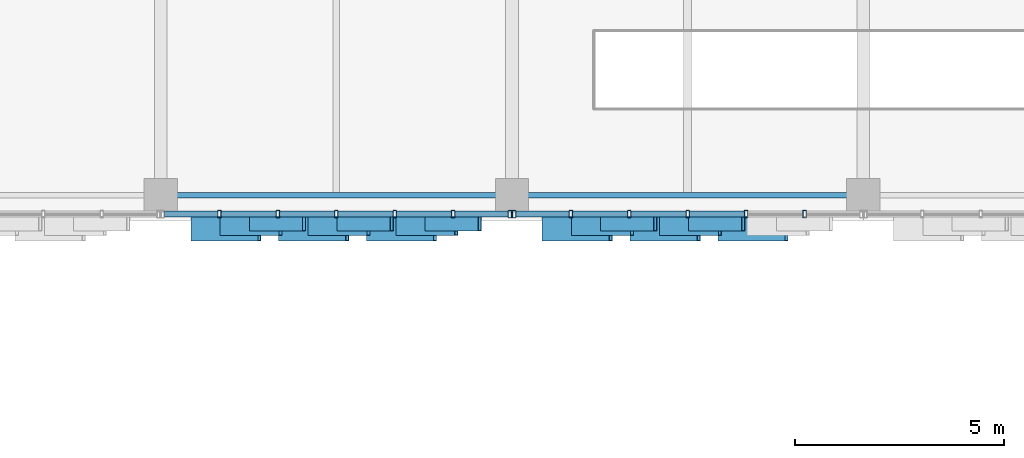
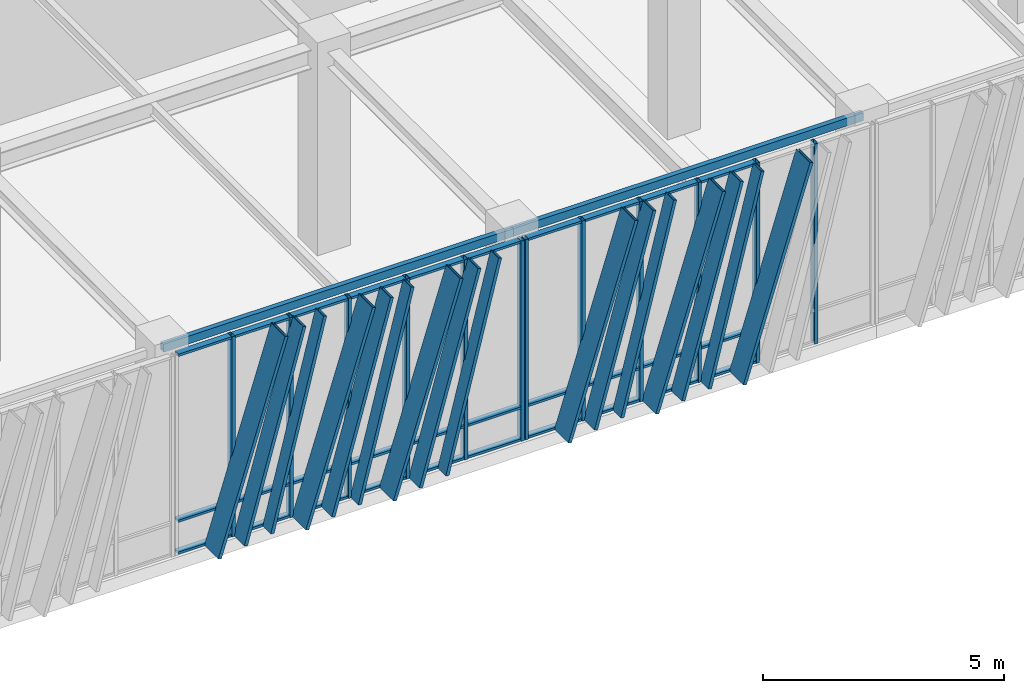
# One storey, part 15 of 139: 58 members, 2 beams, 2 elements without a shape of their own.
"""IFC4 building model written with IfcOpenShell, lengths in metres."""

from ifc_helpers import new_model, si_unit, direction, frame, origin, origin_2d, place, context, subcontext, project, spatial, hollow_rectangle, extrude, material, layer, layer_set, material_profile, profile_set, type_object, element, aggregate, save


model = new_model("IFC4")

# Units and contexts
model_context = context("Model", 3, precision=1e-05, world=origin(), true_north=direction((0.0, 1.0)))
body_context = subcontext(model_context, "Body", "Model", "MODEL_VIEW")
ifc_project = project(units=[si_unit("LENGTHUNIT", "METRE"), si_unit("AREAUNIT", "SQUARE_METRE"), si_unit("VOLUMEUNIT", "CUBIC_METRE"), si_unit("PLANEANGLEUNIT", "RADIAN"), si_unit("MASSUNIT", "GRAM", prefix="KILO")], contexts=[model_context])

# Site, building, storey
site_placement = place(None, origin())
site = spatial("IfcSite", under=ifc_project, at=site_placement, CompositionType="ELEMENT")
building_placement = place(site_placement, origin())
building = spatial("IfcBuilding", under=site, at=building_placement, Name="Zayran Congress Hotel", CompositionType="ELEMENT")
storey_placement = place(building_placement, frame((0.0, 0.0, 5.39990234375)))
storey = spatial("IfcBuildingStorey", under=building, at=storey_placement, Name="L01", CompositionType="ELEMENT", Elevation=5.39990234375)

# Beams
ifc_material_1 = material(Name="Steel S355", Category="steel")
ifc_material_profile_1 = material_profile(ifc_material_1, hollow_rectangle(XDim=0.1201171875, YDim=0.199951171875, WallThickness=0.008056640625, at=origin_2d()), Name="RHS 200x120x8")
ifc_profile_set_1 = profile_set([ifc_material_profile_1], Name="Steel S355")
beam_type = type_object("IfcBeamType", Name="TP-SP-02", PredefinedType="SPANDREL", material=ifc_profile_set_1)
for number, where, z_axis, x_axis, name in (
    (1, (33.60009765625, 68.199951171875, 4.97998046875), (1.0, 0.0, 0.0), (0.0, 1.0, 0.0), "BM-V1-L01-0516"),
    (2, (42.0, 68.199951171875, 4.97998046875), (1.0, 0.0, 0.0), (0.0, 1.0, 0.0), "BM-V1-L01-0517"),
):
    element("IfcBeam", number, at=place(storey_placement, frame(where, z_axis=z_axis, x_axis=x_axis)), inside=storey, type_object=beam_type, Name=name, PredefinedType="SPANDREL", context=body_context, shape_type="SweptSolid", body=[
        extrude(hollow_rectangle(XDim=0.1201171875, YDim=0.199951171875, WallThickness=0.008056640625, at=origin_2d()), origin(), (0.0, 0.0, 1.0), 8.39990234375),
    ])

# Curtain wall, members
ifc_material_2 = material(Name="Anodised aluminium and low-E insulated glass", Category="aluminium")
ifc_layer_1 = layer(ifc_material_2, 0.179931640625)
ifc_layer_set_1 = layer_set([ifc_layer_1], Name="Anodised aluminium and low-E insulated glass")
curtain_wall_type_1 = type_object("IfcCurtainWallType", Name="CW-V1S-L01-CW-11-8380-5080", PredefinedType="USERDEFINED", material=ifc_layer_set_1)
curtain_wall_1_placement = place(storey_placement, origin())
curtain_wall_1 = element("IfcCurtainWall", 3, at=curtain_wall_1_placement, inside=storey, type_object=curtain_wall_type_1, Name="CW-V1S-L01-3", ObjectType="CURTAIN WALL", PredefinedType="USERDEFINED")
ifc_material_3 = material(Name="Anodised aluminium framing", Category="aluminium")
ifc_material_profile_2 = material_profile(ifc_material_3, hollow_rectangle(XDim=0.080078125, YDim=0.179931640625, WallThickness=0.0048828125, at=origin_2d()), Name="RHS 180x80x5")
ifc_profile_set_2 = profile_set([ifc_material_profile_2], Name="Anodised aluminium framing")
member_type_1 = type_object("IfcMemberType", Name="TP-CWM-01", PredefinedType="MULLION", material=ifc_profile_set_2)
member_1_placement = place(storey_placement, frame((35.006591796875, 67.75, 0.0), z_axis=(0.0, 0.0, 1.0), x_axis=(1.0, 0.0, 0.0)))
member_1 = element("IfcMember", 4, at=member_1_placement, type_object=member_type_1, Name="CW-V1S-L01-3-M01", PredefinedType="MULLION", context=body_context, shape_type="SweptSolid", body=[
    extrude(hollow_rectangle(XDim=0.080078125, YDim=0.179931640625, WallThickness=0.0048828125, at=origin_2d()), origin(), (0.0, 0.0, 1.0), 5.080078125),
])
member_2_placement = place(storey_placement, frame((36.4033203125, 67.75, 0.0), z_axis=(0.0, 0.0, 1.0), x_axis=(1.0, 0.0, 0.0)))
member_2 = element("IfcMember", 5, at=member_2_placement, type_object=member_type_1, Name="CW-V1S-L01-3-M02", PredefinedType="MULLION", context=body_context, shape_type="SweptSolid", body=[
    extrude(hollow_rectangle(XDim=0.080078125, YDim=0.179931640625, WallThickness=0.0048828125, at=origin_2d()), origin(), (0.0, 0.0, 1.0), 5.080078125),
])
member_3_placement = place(storey_placement, frame((37.800048828125, 67.75, 0.0), z_axis=(0.0, 0.0, 1.0), x_axis=(1.0, 0.0, 0.0)))
member_3 = element("IfcMember", 6, at=member_3_placement, type_object=member_type_1, Name="CW-V1S-L01-3-M03", PredefinedType="MULLION", context=body_context, shape_type="SweptSolid", body=[
    extrude(hollow_rectangle(XDim=0.080078125, YDim=0.179931640625, WallThickness=0.0048828125, at=origin_2d()), origin(), (0.0, 0.0, 1.0), 5.080078125),
])
member_4_placement = place(storey_placement, frame((39.19677734375, 67.75, 0.0), z_axis=(0.0, 0.0, 1.0), x_axis=(1.0, 0.0, 0.0)))
member_4 = element("IfcMember", 7, at=member_4_placement, type_object=member_type_1, Name="CW-V1S-L01-3-M04", PredefinedType="MULLION", context=body_context, shape_type="SweptSolid", body=[
    extrude(hollow_rectangle(XDim=0.080078125, YDim=0.179931640625, WallThickness=0.0048828125, at=origin_2d()), origin(), (0.0, 0.0, 1.0), 5.080078125),
])
member_5_placement = place(storey_placement, frame((40.59326171875, 67.75, 0.0), z_axis=(0.0, 0.0, 1.0), x_axis=(1.0, 0.0, 0.0)))
member_5 = element("IfcMember", 8, at=member_5_placement, type_object=member_type_1, Name="CW-V1S-L01-3-M05", PredefinedType="MULLION", context=body_context, shape_type="SweptSolid", body=[
    extrude(hollow_rectangle(XDim=0.080078125, YDim=0.179931640625, WallThickness=0.0048828125, at=origin_2d()), origin(), (0.0, 0.0, 1.0), 5.080078125),
])
member_6_placement = place(storey_placement, frame((41.949951171875, 67.75, 0.0), z_axis=(0.0, 0.0, 1.0), x_axis=(1.0, 0.0, 0.0)))
member_6 = element("IfcMember", 9, at=member_6_placement, type_object=member_type_1, Name="CW-V1S-L01-3-M06", PredefinedType="MULLION", context=body_context, shape_type="SweptSolid", body=[
    extrude(hollow_rectangle(XDim=0.080078125, YDim=0.179931640625, WallThickness=0.0048828125, at=origin_2d()), origin(), (0.0, 0.0, 1.0), 5.080078125),
])

ifc_layer_2 = layer(ifc_material_2, 0.179931640625)
ifc_layer_set_2 = layer_set([ifc_layer_2], Name="Anodised aluminium and low-E insulated glass")
curtain_wall_type_2 = type_object("IfcCurtainWallType", Name="CW-V1S-L01-CW-12-8380-5080", PredefinedType="USERDEFINED", material=ifc_layer_set_2)
curtain_wall_2_placement = place(storey_placement, origin())
curtain_wall_2 = element("IfcCurtainWall", 10, at=curtain_wall_2_placement, inside=storey, type_object=curtain_wall_type_2, Name="CW-V1S-L01-4", ObjectType="CURTAIN WALL", PredefinedType="USERDEFINED")
member_7_placement = place(storey_placement, frame((42.050048828125, 67.75, 0.0), z_axis=(0.0, 0.0, 1.0), x_axis=(1.0, 0.0, 0.0)))
member_7 = element("IfcMember", 11, at=member_7_placement, type_object=member_type_1, Name="CW-V1S-L01-4-M00", PredefinedType="MULLION", context=body_context, shape_type="SweptSolid", body=[
    extrude(hollow_rectangle(XDim=0.080078125, YDim=0.179931640625, WallThickness=0.0048828125, at=origin_2d()), origin(), (0.0, 0.0, 1.0), 5.080078125),
])
member_8_placement = place(storey_placement, frame((43.40673828125, 67.75, 0.0), z_axis=(0.0, 0.0, 1.0), x_axis=(1.0, 0.0, 0.0)))
member_8 = element("IfcMember", 12, at=member_8_placement, type_object=member_type_1, Name="CW-V1S-L01-4-M01", PredefinedType="MULLION", context=body_context, shape_type="SweptSolid", body=[
    extrude(hollow_rectangle(XDim=0.080078125, YDim=0.179931640625, WallThickness=0.0048828125, at=origin_2d()), origin(), (0.0, 0.0, 1.0), 5.080078125),
])
member_9_placement = place(storey_placement, frame((44.80322265625, 67.75, 0.0), z_axis=(0.0, 0.0, 1.0), x_axis=(1.0, 0.0, 0.0)))
member_9 = element("IfcMember", 13, at=member_9_placement, type_object=member_type_1, Name="CW-V1S-L01-4-M02", PredefinedType="MULLION", context=body_context, shape_type="SweptSolid", body=[
    extrude(hollow_rectangle(XDim=0.080078125, YDim=0.179931640625, WallThickness=0.0048828125, at=origin_2d()), origin(), (0.0, 0.0, 1.0), 5.080078125),
])
member_10_placement = place(storey_placement, frame((46.199951171875, 67.75, 0.0), z_axis=(0.0, 0.0, 1.0), x_axis=(1.0, 0.0, 0.0)))
member_10 = element("IfcMember", 14, at=member_10_placement, type_object=member_type_1, Name="CW-V1S-L01-4-M03", PredefinedType="MULLION", context=body_context, shape_type="SweptSolid", body=[
    extrude(hollow_rectangle(XDim=0.080078125, YDim=0.179931640625, WallThickness=0.0048828125, at=origin_2d()), origin(), (0.0, 0.0, 1.0), 5.080078125),
])
member_11_placement = place(storey_placement, frame((47.5966796875, 67.75, 0.0), z_axis=(0.0, 0.0, 1.0), x_axis=(1.0, 0.0, 0.0)))
member_11 = element("IfcMember", 15, at=member_11_placement, type_object=member_type_1, Name="CW-V1S-L01-4-M04", PredefinedType="MULLION", context=body_context, shape_type="SweptSolid", body=[
    extrude(hollow_rectangle(XDim=0.080078125, YDim=0.179931640625, WallThickness=0.0048828125, at=origin_2d()), origin(), (0.0, 0.0, 1.0), 5.080078125),
])
member_12_placement = place(storey_placement, frame((48.993408203125, 67.75, 0.0), z_axis=(0.0, 0.0, 1.0), x_axis=(1.0, 0.0, 0.0)))
member_12 = element("IfcMember", 16, at=member_12_placement, type_object=member_type_1, Name="CW-V1S-L01-4-M05", PredefinedType="MULLION", context=body_context, shape_type="SweptSolid", body=[
    extrude(hollow_rectangle(XDim=0.080078125, YDim=0.179931640625, WallThickness=0.0048828125, at=origin_2d()), origin(), (0.0, 0.0, 1.0), 5.080078125),
])

# Member
ifc_material_profile_3 = material_profile(ifc_material_3, hollow_rectangle(XDim=0.06005859375, YDim=0.14990234375, WallThickness=0.00390625, at=origin_2d()), Name="RHS 150x60x4")
ifc_profile_set_3 = profile_set([ifc_material_profile_3], Name="Anodised aluminium framing")
member_type_2 = type_object("IfcMemberType", Name="TP-CWT-01", PredefinedType="USERDEFINED", material=ifc_profile_set_3)
member_13_placement = place(storey_placement, frame((33.68994140625, 67.75, 0.030029296875), z_axis=(1.0, 0.0, 0.0), x_axis=(0.0, 0.0, 1.0)))
member_13 = element("IfcMember", 17, at=member_13_placement, type_object=member_type_2, Name="CW-V1S-L01-3-T00-0", ObjectType="TRANSOM", PredefinedType="USERDEFINED", context=body_context, shape_type="SweptSolid", body=[
    extrude(hollow_rectangle(XDim=0.06005859375, YDim=0.14990234375, WallThickness=0.00390625, at=origin_2d()), origin(), (0.0, 0.0, 1.0), 1.27685546875),
])

member_14_placement = place(storey_placement, frame((33.68994140625, 67.75, 0.840087890625), z_axis=(1.0, 0.0, 0.0), x_axis=(0.0, 0.0, 1.0)))
member_14 = element("IfcMember", 18, at=member_14_placement, type_object=member_type_2, Name="CW-V1S-L01-3-T00-1", ObjectType="TRANSOM", PredefinedType="USERDEFINED", context=body_context, shape_type="SweptSolid", body=[
    extrude(hollow_rectangle(XDim=0.06005859375, YDim=0.14990234375, WallThickness=0.00390625, at=origin_2d()), origin(), (0.0, 0.0, 1.0), 1.27685546875),
])

member_15_placement = place(storey_placement, frame((33.68994140625, 67.75, 5.050048828125), z_axis=(1.0, 0.0, 0.0), x_axis=(0.0, 0.0, 1.0)))
member_15 = element("IfcMember", 19, at=member_15_placement, type_object=member_type_2, Name="CW-V1S-L01-3-T00-2", ObjectType="TRANSOM", PredefinedType="USERDEFINED", context=body_context, shape_type="SweptSolid", body=[
    extrude(hollow_rectangle(XDim=0.06005859375, YDim=0.14990234375, WallThickness=0.00390625, at=origin_2d()), origin(), (0.0, 0.0, 1.0), 1.27685546875),
])

member_16_placement = place(storey_placement, frame((35.046630859375, 67.75, 0.030029296875), z_axis=(1.0, 0.0, 0.0), x_axis=(0.0, 0.0, 1.0)))
member_16 = element("IfcMember", 20, at=member_16_placement, type_object=member_type_2, Name="CW-V1S-L01-3-T01-0", ObjectType="TRANSOM", PredefinedType="USERDEFINED", context=body_context, shape_type="SweptSolid", body=[
    extrude(hollow_rectangle(XDim=0.06005859375, YDim=0.14990234375, WallThickness=0.00390625, at=origin_2d()), origin(), (0.0, 0.0, 1.0), 1.316650390625),
])

member_17_placement = place(storey_placement, frame((35.046630859375, 67.75, 0.840087890625), z_axis=(1.0, 0.0, 0.0), x_axis=(0.0, 0.0, 1.0)))
member_17 = element("IfcMember", 21, at=member_17_placement, type_object=member_type_2, Name="CW-V1S-L01-3-T01-1", ObjectType="TRANSOM", PredefinedType="USERDEFINED", context=body_context, shape_type="SweptSolid", body=[
    extrude(hollow_rectangle(XDim=0.06005859375, YDim=0.14990234375, WallThickness=0.00390625, at=origin_2d()), origin(), (0.0, 0.0, 1.0), 1.316650390625),
])

member_18_placement = place(storey_placement, frame((35.046630859375, 67.75, 5.050048828125), z_axis=(1.0, 0.0, 0.0), x_axis=(0.0, 0.0, 1.0)))
member_18 = element("IfcMember", 22, at=member_18_placement, type_object=member_type_2, Name="CW-V1S-L01-3-T01-2", ObjectType="TRANSOM", PredefinedType="USERDEFINED", context=body_context, shape_type="SweptSolid", body=[
    extrude(hollow_rectangle(XDim=0.06005859375, YDim=0.14990234375, WallThickness=0.00390625, at=origin_2d()), origin(), (0.0, 0.0, 1.0), 1.316650390625),
])

member_19_placement = place(storey_placement, frame((36.443359375, 67.75, 0.030029296875), z_axis=(1.0, 0.0, 0.0), x_axis=(0.0, 0.0, 1.0)))
member_19 = element("IfcMember", 23, at=member_19_placement, type_object=member_type_2, Name="CW-V1S-L01-3-T02-0", ObjectType="TRANSOM", PredefinedType="USERDEFINED", context=body_context, shape_type="SweptSolid", body=[
    extrude(hollow_rectangle(XDim=0.06005859375, YDim=0.14990234375, WallThickness=0.00390625, at=origin_2d()), origin(), (0.0, 0.0, 1.0), 1.316650390625),
])

member_20_placement = place(storey_placement, frame((36.443359375, 67.75, 0.840087890625), z_axis=(1.0, 0.0, 0.0), x_axis=(0.0, 0.0, 1.0)))
member_20 = element("IfcMember", 24, at=member_20_placement, type_object=member_type_2, Name="CW-V1S-L01-3-T02-1", ObjectType="TRANSOM", PredefinedType="USERDEFINED", context=body_context, shape_type="SweptSolid", body=[
    extrude(hollow_rectangle(XDim=0.06005859375, YDim=0.14990234375, WallThickness=0.00390625, at=origin_2d()), origin(), (0.0, 0.0, 1.0), 1.316650390625),
])

member_21_placement = place(storey_placement, frame((36.443359375, 67.75, 5.050048828125), z_axis=(1.0, 0.0, 0.0), x_axis=(0.0, 0.0, 1.0)))
member_21 = element("IfcMember", 25, at=member_21_placement, type_object=member_type_2, Name="CW-V1S-L01-3-T02-2", ObjectType="TRANSOM", PredefinedType="USERDEFINED", context=body_context, shape_type="SweptSolid", body=[
    extrude(hollow_rectangle(XDim=0.06005859375, YDim=0.14990234375, WallThickness=0.00390625, at=origin_2d()), origin(), (0.0, 0.0, 1.0), 1.316650390625),
])

member_22_placement = place(storey_placement, frame((37.840087890625, 67.75, 0.030029296875), z_axis=(1.0, 0.0, 0.0), x_axis=(0.0, 0.0, 1.0)))
member_22 = element("IfcMember", 26, at=member_22_placement, type_object=member_type_2, Name="CW-V1S-L01-3-T03-0", ObjectType="TRANSOM", PredefinedType="USERDEFINED", context=body_context, shape_type="SweptSolid", body=[
    extrude(hollow_rectangle(XDim=0.06005859375, YDim=0.14990234375, WallThickness=0.00390625, at=origin_2d()), origin(), (0.0, 0.0, 1.0), 1.316650390625),
])

member_23_placement = place(storey_placement, frame((37.840087890625, 67.75, 0.840087890625), z_axis=(1.0, 0.0, 0.0), x_axis=(0.0, 0.0, 1.0)))
member_23 = element("IfcMember", 27, at=member_23_placement, type_object=member_type_2, Name="CW-V1S-L01-3-T03-1", ObjectType="TRANSOM", PredefinedType="USERDEFINED", context=body_context, shape_type="SweptSolid", body=[
    extrude(hollow_rectangle(XDim=0.06005859375, YDim=0.14990234375, WallThickness=0.00390625, at=origin_2d()), origin(), (0.0, 0.0, 1.0), 1.316650390625),
])

member_24_placement = place(storey_placement, frame((37.840087890625, 67.75, 5.050048828125), z_axis=(1.0, 0.0, 0.0), x_axis=(0.0, 0.0, 1.0)))
member_24 = element("IfcMember", 28, at=member_24_placement, type_object=member_type_2, Name="CW-V1S-L01-3-T03-2", ObjectType="TRANSOM", PredefinedType="USERDEFINED", context=body_context, shape_type="SweptSolid", body=[
    extrude(hollow_rectangle(XDim=0.06005859375, YDim=0.14990234375, WallThickness=0.00390625, at=origin_2d()), origin(), (0.0, 0.0, 1.0), 1.316650390625),
])

member_25_placement = place(storey_placement, frame((39.23681640625, 67.75, 0.030029296875), z_axis=(1.0, 0.0, 0.0), x_axis=(0.0, 0.0, 1.0)))
member_25 = element("IfcMember", 29, at=member_25_placement, type_object=member_type_2, Name="CW-V1S-L01-3-T04-0", ObjectType="TRANSOM", PredefinedType="USERDEFINED", context=body_context, shape_type="SweptSolid", body=[
    extrude(hollow_rectangle(XDim=0.06005859375, YDim=0.14990234375, WallThickness=0.00390625, at=origin_2d()), origin(), (0.0, 0.0, 1.0), 1.31640625),
])

member_26_placement = place(storey_placement, frame((39.23681640625, 67.75, 0.840087890625), z_axis=(1.0, 0.0, 0.0), x_axis=(0.0, 0.0, 1.0)))
member_26 = element("IfcMember", 30, at=member_26_placement, type_object=member_type_2, Name="CW-V1S-L01-3-T04-1", ObjectType="TRANSOM", PredefinedType="USERDEFINED", context=body_context, shape_type="SweptSolid", body=[
    extrude(hollow_rectangle(XDim=0.06005859375, YDim=0.14990234375, WallThickness=0.00390625, at=origin_2d()), origin(), (0.0, 0.0, 1.0), 1.31640625),
])

member_27_placement = place(storey_placement, frame((39.23681640625, 67.75, 5.050048828125), z_axis=(1.0, 0.0, 0.0), x_axis=(0.0, 0.0, 1.0)))
member_27 = element("IfcMember", 31, at=member_27_placement, type_object=member_type_2, Name="CW-V1S-L01-3-T04-2", ObjectType="TRANSOM", PredefinedType="USERDEFINED", context=body_context, shape_type="SweptSolid", body=[
    extrude(hollow_rectangle(XDim=0.06005859375, YDim=0.14990234375, WallThickness=0.00390625, at=origin_2d()), origin(), (0.0, 0.0, 1.0), 1.31640625),
])

member_28_placement = place(storey_placement, frame((40.63330078125, 67.75, 0.030029296875), z_axis=(1.0, 0.0, 0.0), x_axis=(0.0, 0.0, 1.0)))
member_28 = element("IfcMember", 32, at=member_28_placement, type_object=member_type_2, Name="CW-V1S-L01-3-T05-0", ObjectType="TRANSOM", PredefinedType="USERDEFINED", context=body_context, shape_type="SweptSolid", body=[
    extrude(hollow_rectangle(XDim=0.06005859375, YDim=0.14990234375, WallThickness=0.00390625, at=origin_2d()), origin(), (0.0, 0.0, 1.0), 1.276611328125),
])

member_29_placement = place(storey_placement, frame((40.63330078125, 67.75, 0.840087890625), z_axis=(1.0, 0.0, 0.0), x_axis=(0.0, 0.0, 1.0)))
member_29 = element("IfcMember", 33, at=member_29_placement, type_object=member_type_2, Name="CW-V1S-L01-3-T05-1", ObjectType="TRANSOM", PredefinedType="USERDEFINED", context=body_context, shape_type="SweptSolid", body=[
    extrude(hollow_rectangle(XDim=0.06005859375, YDim=0.14990234375, WallThickness=0.00390625, at=origin_2d()), origin(), (0.0, 0.0, 1.0), 1.276611328125),
])

member_30_placement = place(storey_placement, frame((40.63330078125, 67.75, 5.050048828125), z_axis=(1.0, 0.0, 0.0), x_axis=(0.0, 0.0, 1.0)))
member_30 = element("IfcMember", 34, at=member_30_placement, type_object=member_type_2, Name="CW-V1S-L01-3-T05-2", ObjectType="TRANSOM", PredefinedType="USERDEFINED", context=body_context, shape_type="SweptSolid", body=[
    extrude(hollow_rectangle(XDim=0.06005859375, YDim=0.14990234375, WallThickness=0.00390625, at=origin_2d()), origin(), (0.0, 0.0, 1.0), 1.276611328125),
])

member_31_placement = place(storey_placement, frame((42.090087890625, 67.75, 0.030029296875), z_axis=(1.0, 0.0, 0.0), x_axis=(0.0, 0.0, 1.0)))
member_31 = element("IfcMember", 35, at=member_31_placement, type_object=member_type_2, Name="CW-V1S-L01-4-T00-0", ObjectType="TRANSOM", PredefinedType="USERDEFINED", context=body_context, shape_type="SweptSolid", body=[
    extrude(hollow_rectangle(XDim=0.06005859375, YDim=0.14990234375, WallThickness=0.00390625, at=origin_2d()), origin(), (0.0, 0.0, 1.0), 1.276611328125),
])

member_32_placement = place(storey_placement, frame((42.090087890625, 67.75, 0.840087890625), z_axis=(1.0, 0.0, 0.0), x_axis=(0.0, 0.0, 1.0)))
member_32 = element("IfcMember", 36, at=member_32_placement, type_object=member_type_2, Name="CW-V1S-L01-4-T00-1", ObjectType="TRANSOM", PredefinedType="USERDEFINED", context=body_context, shape_type="SweptSolid", body=[
    extrude(hollow_rectangle(XDim=0.06005859375, YDim=0.14990234375, WallThickness=0.00390625, at=origin_2d()), origin(), (0.0, 0.0, 1.0), 1.276611328125),
])

member_33_placement = place(storey_placement, frame((42.090087890625, 67.75, 5.050048828125), z_axis=(1.0, 0.0, 0.0), x_axis=(0.0, 0.0, 1.0)))
member_33 = element("IfcMember", 37, at=member_33_placement, type_object=member_type_2, Name="CW-V1S-L01-4-T00-2", ObjectType="TRANSOM", PredefinedType="USERDEFINED", context=body_context, shape_type="SweptSolid", body=[
    extrude(hollow_rectangle(XDim=0.06005859375, YDim=0.14990234375, WallThickness=0.00390625, at=origin_2d()), origin(), (0.0, 0.0, 1.0), 1.276611328125),
])

member_34_placement = place(storey_placement, frame((43.44677734375, 67.75, 0.030029296875), z_axis=(1.0, 0.0, 0.0), x_axis=(0.0, 0.0, 1.0)))
member_34 = element("IfcMember", 38, at=member_34_placement, type_object=member_type_2, Name="CW-V1S-L01-4-T01-0", ObjectType="TRANSOM", PredefinedType="USERDEFINED", context=body_context, shape_type="SweptSolid", body=[
    extrude(hollow_rectangle(XDim=0.06005859375, YDim=0.14990234375, WallThickness=0.00390625, at=origin_2d()), origin(), (0.0, 0.0, 1.0), 1.31640625),
])

member_35_placement = place(storey_placement, frame((43.44677734375, 67.75, 0.840087890625), z_axis=(1.0, 0.0, 0.0), x_axis=(0.0, 0.0, 1.0)))
member_35 = element("IfcMember", 39, at=member_35_placement, type_object=member_type_2, Name="CW-V1S-L01-4-T01-1", ObjectType="TRANSOM", PredefinedType="USERDEFINED", context=body_context, shape_type="SweptSolid", body=[
    extrude(hollow_rectangle(XDim=0.06005859375, YDim=0.14990234375, WallThickness=0.00390625, at=origin_2d()), origin(), (0.0, 0.0, 1.0), 1.31640625),
])

member_36_placement = place(storey_placement, frame((43.44677734375, 67.75, 5.050048828125), z_axis=(1.0, 0.0, 0.0), x_axis=(0.0, 0.0, 1.0)))
member_36 = element("IfcMember", 40, at=member_36_placement, type_object=member_type_2, Name="CW-V1S-L01-4-T01-2", ObjectType="TRANSOM", PredefinedType="USERDEFINED", context=body_context, shape_type="SweptSolid", body=[
    extrude(hollow_rectangle(XDim=0.06005859375, YDim=0.14990234375, WallThickness=0.00390625, at=origin_2d()), origin(), (0.0, 0.0, 1.0), 1.31640625),
])

member_37_placement = place(storey_placement, frame((44.84326171875, 67.75, 0.030029296875), z_axis=(1.0, 0.0, 0.0), x_axis=(0.0, 0.0, 1.0)))
member_37 = element("IfcMember", 41, at=member_37_placement, type_object=member_type_2, Name="CW-V1S-L01-4-T02-0", ObjectType="TRANSOM", PredefinedType="USERDEFINED", context=body_context, shape_type="SweptSolid", body=[
    extrude(hollow_rectangle(XDim=0.06005859375, YDim=0.14990234375, WallThickness=0.00390625, at=origin_2d()), origin(), (0.0, 0.0, 1.0), 1.316650390625),
])

member_38_placement = place(storey_placement, frame((44.84326171875, 67.75, 0.840087890625), z_axis=(1.0, 0.0, 0.0), x_axis=(0.0, 0.0, 1.0)))
member_38 = element("IfcMember", 42, at=member_38_placement, type_object=member_type_2, Name="CW-V1S-L01-4-T02-1", ObjectType="TRANSOM", PredefinedType="USERDEFINED", context=body_context, shape_type="SweptSolid", body=[
    extrude(hollow_rectangle(XDim=0.06005859375, YDim=0.14990234375, WallThickness=0.00390625, at=origin_2d()), origin(), (0.0, 0.0, 1.0), 1.316650390625),
])

member_39_placement = place(storey_placement, frame((44.84326171875, 67.75, 5.050048828125), z_axis=(1.0, 0.0, 0.0), x_axis=(0.0, 0.0, 1.0)))
member_39 = element("IfcMember", 43, at=member_39_placement, type_object=member_type_2, Name="CW-V1S-L01-4-T02-2", ObjectType="TRANSOM", PredefinedType="USERDEFINED", context=body_context, shape_type="SweptSolid", body=[
    extrude(hollow_rectangle(XDim=0.06005859375, YDim=0.14990234375, WallThickness=0.00390625, at=origin_2d()), origin(), (0.0, 0.0, 1.0), 1.316650390625),
])

member_40_placement = place(storey_placement, frame((46.239990234375, 67.75, 0.030029296875), z_axis=(1.0, 0.0, 0.0), x_axis=(0.0, 0.0, 1.0)))
member_40 = element("IfcMember", 44, at=member_40_placement, type_object=member_type_2, Name="CW-V1S-L01-4-T03-0", ObjectType="TRANSOM", PredefinedType="USERDEFINED", context=body_context, shape_type="SweptSolid", body=[
    extrude(hollow_rectangle(XDim=0.06005859375, YDim=0.14990234375, WallThickness=0.00390625, at=origin_2d()), origin(), (0.0, 0.0, 1.0), 1.316650390625),
])

member_41_placement = place(storey_placement, frame((46.239990234375, 67.75, 0.840087890625), z_axis=(1.0, 0.0, 0.0), x_axis=(0.0, 0.0, 1.0)))
member_41 = element("IfcMember", 45, at=member_41_placement, type_object=member_type_2, Name="CW-V1S-L01-4-T03-1", ObjectType="TRANSOM", PredefinedType="USERDEFINED", context=body_context, shape_type="SweptSolid", body=[
    extrude(hollow_rectangle(XDim=0.06005859375, YDim=0.14990234375, WallThickness=0.00390625, at=origin_2d()), origin(), (0.0, 0.0, 1.0), 1.316650390625),
])

member_42_placement = place(storey_placement, frame((46.239990234375, 67.75, 5.050048828125), z_axis=(1.0, 0.0, 0.0), x_axis=(0.0, 0.0, 1.0)))
member_42 = element("IfcMember", 46, at=member_42_placement, type_object=member_type_2, Name="CW-V1S-L01-4-T03-2", ObjectType="TRANSOM", PredefinedType="USERDEFINED", context=body_context, shape_type="SweptSolid", body=[
    extrude(hollow_rectangle(XDim=0.06005859375, YDim=0.14990234375, WallThickness=0.00390625, at=origin_2d()), origin(), (0.0, 0.0, 1.0), 1.316650390625),
])

ifc_material_4 = material(Name="Warm bronze anodised aluminium", Category="aluminium")
ifc_material_profile_4 = material_profile(ifc_material_4, hollow_rectangle(XDim=0.080078125, YDim=0.580078125, WallThickness=0.006103515625, at=origin_2d()), Name="RHS 580x80x6")
ifc_profile_set_4 = profile_set([ifc_material_profile_4], Name="Warm bronze anodised aluminium")
member_type_3 = type_object("IfcMemberType", Name="TP-RFN-01", PredefinedType="MULLION", material=ifc_profile_set_4)
member_43_placement = place(storey_placement, frame((34.360107421875, 67.39990234375, 0.0), z_axis=(0.300675065474, 0.0, 0.953726640606), x_axis=(-0.953726640606, 0.0, 0.300675065474)))
member_43 = element("IfcMember", 47, at=member_43_placement, type_object=member_type_3, Name="Slanting Reed Mullion CW-11-01", PredefinedType="MULLION", context=body_context, shape_type="SweptSolid", body=[
    extrude(hollow_rectangle(XDim=0.080078125, YDim=0.580078125, WallThickness=0.006103515625, at=origin_2d()), origin(), (0.0, 0.0, 1.0), 5.32666015625),
])

member_44_placement = place(storey_placement, frame((36.4599609375, 67.39990234375, 0.0), z_axis=(0.300716755525, 0.0, 0.953713496259), x_axis=(-0.953713496259, 0.0, 0.300716755525)))
member_44 = element("IfcMember", 48, at=member_44_placement, type_object=member_type_3, Name="Slanting Reed Mullion CW-11-04", PredefinedType="MULLION", context=body_context, shape_type="SweptSolid", body=[
    extrude(hollow_rectangle(XDim=0.080078125, YDim=0.580078125, WallThickness=0.006103515625, at=origin_2d()), origin(), (0.0, 0.0, 1.0), 5.32666015625),
])

member_45_placement = place(storey_placement, frame((38.56005859375, 67.39990234375, 0.0), z_axis=(0.300675065474, 0.0, 0.953726640606), x_axis=(-0.953726640606, 0.0, 0.300675065474)))
member_45 = element("IfcMember", 49, at=member_45_placement, type_object=member_type_3, Name="Slanting Reed Mullion CW-11-07", PredefinedType="MULLION", context=body_context, shape_type="SweptSolid", body=[
    extrude(hollow_rectangle(XDim=0.080078125, YDim=0.580078125, WallThickness=0.006103515625, at=origin_2d()), origin(), (0.0, 0.0, 1.0), 5.32666015625),
])

member_46_placement = place(storey_placement, frame((42.760009765625, 67.39990234375, 0.0), z_axis=(0.300716755525, 0.0, 0.953713496259), x_axis=(-0.953713496259, 0.0, 0.300716755525)))
member_46 = element("IfcMember", 50, at=member_46_placement, type_object=member_type_3, Name="Slanting Reed Mullion CW-12-01", PredefinedType="MULLION", context=body_context, shape_type="SweptSolid", body=[
    extrude(hollow_rectangle(XDim=0.080078125, YDim=0.580078125, WallThickness=0.006103515625, at=origin_2d()), origin(), (0.0, 0.0, 1.0), 5.32666015625),
])

member_47_placement = place(storey_placement, frame((44.860107421875, 67.39990234375, 0.0), z_axis=(0.300675065474, 0.0, 0.953726640606), x_axis=(-0.953726640606, 0.0, 0.300675065474)))
member_47 = element("IfcMember", 51, at=member_47_placement, type_object=member_type_3, Name="Slanting Reed Mullion CW-12-04", PredefinedType="MULLION", context=body_context, shape_type="SweptSolid", body=[
    extrude(hollow_rectangle(XDim=0.080078125, YDim=0.580078125, WallThickness=0.006103515625, at=origin_2d()), origin(), (0.0, 0.0, 1.0), 5.32666015625),
])

member_48_placement = place(storey_placement, frame((46.9599609375, 67.39990234375, 0.0), z_axis=(0.300716755525, 0.0, 0.953713496259), x_axis=(-0.953713496259, 0.0, 0.300716755525)))
member_48 = element("IfcMember", 52, at=member_48_placement, type_object=member_type_3, Name="Slanting Reed Mullion CW-12-07", PredefinedType="MULLION", context=body_context, shape_type="SweptSolid", body=[
    extrude(hollow_rectangle(XDim=0.080078125, YDim=0.580078125, WallThickness=0.006103515625, at=origin_2d()), origin(), (0.0, 0.0, 1.0), 5.32666015625),
])

ifc_material_profile_5 = material_profile(ifc_material_4, hollow_rectangle(XDim=0.080078125, YDim=0.449951171875, WallThickness=0.006103515625, at=origin_2d()), Name="RHS 450x80x6")
ifc_profile_set_5 = profile_set([ifc_material_profile_5], Name="Warm bronze anodised aluminium")
member_type_4 = type_object("IfcMemberType", Name="TP-RFN-02", PredefinedType="MULLION", material=ifc_profile_set_5)
member_49_placement = place(storey_placement, frame((35.06005859375, 67.465087890625, 0.0), z_axis=(0.267213902124, 0.0, 0.963637240102), x_axis=(-0.963637240102, 0.0, 0.267213902124)))
member_49 = element("IfcMember", 53, at=member_49_placement, type_object=member_type_4, Name="Slanting Reed Mullion CW-11-02", PredefinedType="MULLION", context=body_context, shape_type="SweptSolid", body=[
    extrude(hollow_rectangle(XDim=0.080078125, YDim=0.449951171875, WallThickness=0.006103515625, at=origin_2d()), origin(), (0.0, 0.0, 1.0), 5.271728515625),
])

member_50_placement = place(storey_placement, frame((37.159912109375, 67.465087890625, 0.0), z_axis=(0.267256905477, 0.0, 0.96362531436), x_axis=(-0.96362531436, 0.0, 0.267256905477)))
member_50 = element("IfcMember", 54, at=member_50_placement, type_object=member_type_4, Name="Slanting Reed Mullion CW-11-05", PredefinedType="MULLION", context=body_context, shape_type="SweptSolid", body=[
    extrude(hollow_rectangle(XDim=0.080078125, YDim=0.449951171875, WallThickness=0.006103515625, at=origin_2d()), origin(), (0.0, 0.0, 1.0), 5.271728515625),
])

member_51_placement = place(storey_placement, frame((39.260009765625, 67.465087890625, 0.0), z_axis=(0.267213902124, 0.0, 0.963637240102), x_axis=(-0.963637240102, 0.0, 0.267213902124)))
member_51 = element("IfcMember", 55, at=member_51_placement, type_object=member_type_4, Name="Slanting Reed Mullion CW-11-08", PredefinedType="MULLION", context=body_context, shape_type="SweptSolid", body=[
    extrude(hollow_rectangle(XDim=0.080078125, YDim=0.449951171875, WallThickness=0.006103515625, at=origin_2d()), origin(), (0.0, 0.0, 1.0), 5.271728515625),
])

member_52_placement = place(storey_placement, frame((43.4599609375, 67.465087890625, 0.0), z_axis=(0.267256905477, 0.0, 0.96362531436), x_axis=(-0.96362531436, 0.0, 0.267256905477)))
member_52 = element("IfcMember", 56, at=member_52_placement, type_object=member_type_4, Name="Slanting Reed Mullion CW-12-02", PredefinedType="MULLION", context=body_context, shape_type="SweptSolid", body=[
    extrude(hollow_rectangle(XDim=0.080078125, YDim=0.449951171875, WallThickness=0.006103515625, at=origin_2d()), origin(), (0.0, 0.0, 1.0), 5.271728515625),
])

member_53_placement = place(storey_placement, frame((45.56005859375, 67.465087890625, 0.0), z_axis=(0.267213902124, 0.0, 0.963637240102), x_axis=(-0.963637240102, 0.0, 0.267213902124)))
member_53 = element("IfcMember", 57, at=member_53_placement, type_object=member_type_4, Name="Slanting Reed Mullion CW-12-05", PredefinedType="MULLION", context=body_context, shape_type="SweptSolid", body=[
    extrude(hollow_rectangle(XDim=0.080078125, YDim=0.449951171875, WallThickness=0.006103515625, at=origin_2d()), origin(), (0.0, 0.0, 1.0), 5.271728515625),
])

ifc_material_profile_6 = material_profile(ifc_material_4, hollow_rectangle(XDim=0.080078125, YDim=0.340087890625, WallThickness=0.006103515625, at=origin_2d()), Name="RHS 340x80x6")
ifc_profile_set_6 = profile_set([ifc_material_profile_6], Name="Warm bronze anodised aluminium")
member_type_5 = type_object("IfcMemberType", Name="TP-RFN-03", PredefinedType="MULLION", material=ifc_profile_set_6)
member_54_placement = place(storey_placement, frame((35.760009765625, 67.52001953125, 0.0), z_axis=(0.241921145618, 0.0, 0.970295913267), x_axis=(-0.970295913267, 0.0, 0.241921145618)))
member_54 = element("IfcMember", 58, at=member_54_placement, type_object=member_type_5, Name="Slanting Reed Mullion CW-11-03", PredefinedType="MULLION", context=body_context, shape_type="SweptSolid", body=[
    extrude(hollow_rectangle(XDim=0.080078125, YDim=0.340087890625, WallThickness=0.006103515625, at=origin_2d()), origin(), (0.0, 0.0, 1.0), 5.235595703125),
])

member_55_placement = place(storey_placement, frame((37.860107421875, 67.52001953125, 0.0), z_axis=(0.241921145618, 0.0, 0.970295913267), x_axis=(-0.970295913267, 0.0, 0.241921145618)))
member_55 = element("IfcMember", 59, at=member_55_placement, type_object=member_type_5, Name="Slanting Reed Mullion CW-11-06", PredefinedType="MULLION", context=body_context, shape_type="SweptSolid", body=[
    extrude(hollow_rectangle(XDim=0.080078125, YDim=0.340087890625, WallThickness=0.006103515625, at=origin_2d()), origin(), (0.0, 0.0, 1.0), 5.235595703125),
])

member_56_placement = place(storey_placement, frame((39.9599609375, 67.52001953125, 0.0), z_axis=(0.241921145618, 0.0, 0.970295913267), x_axis=(-0.970295913267, 0.0, 0.241921145618)))
member_56 = element("IfcMember", 60, at=member_56_placement, type_object=member_type_5, Name="Slanting Reed Mullion CW-11-09", PredefinedType="MULLION", context=body_context, shape_type="SweptSolid", body=[
    extrude(hollow_rectangle(XDim=0.080078125, YDim=0.340087890625, WallThickness=0.006103515625, at=origin_2d()), origin(), (0.0, 0.0, 1.0), 5.235595703125),
])

aggregate(curtain_wall_1, [member_1, member_2, member_3, member_4, member_5, member_6, member_13, member_14, member_15, member_16, member_17, member_18, member_19, member_20, member_21, member_22, member_23, member_24, member_25, member_26, member_27, member_28, member_29, member_30, member_43, member_49, member_54, member_44, member_50, member_55, member_45, member_51, member_56])

member_57_placement = place(storey_placement, frame((44.159912109375, 67.52001953125, 0.0), z_axis=(0.241921145618, 0.0, 0.970295913267), x_axis=(-0.970295913267, 0.0, 0.241921145618)))
member_57 = element("IfcMember", 61, at=member_57_placement, type_object=member_type_5, Name="Slanting Reed Mullion CW-12-03", PredefinedType="MULLION", context=body_context, shape_type="SweptSolid", body=[
    extrude(hollow_rectangle(XDim=0.080078125, YDim=0.340087890625, WallThickness=0.006103515625, at=origin_2d()), origin(), (0.0, 0.0, 1.0), 5.235595703125),
])

member_58_placement = place(storey_placement, frame((46.260009765625, 67.52001953125, 0.0), z_axis=(0.241921145618, 0.0, 0.970295913267), x_axis=(-0.970295913267, 0.0, 0.241921145618)))
member_58 = element("IfcMember", 62, at=member_58_placement, type_object=member_type_5, Name="Slanting Reed Mullion CW-12-06", PredefinedType="MULLION", context=body_context, shape_type="SweptSolid", body=[
    extrude(hollow_rectangle(XDim=0.080078125, YDim=0.340087890625, WallThickness=0.006103515625, at=origin_2d()), origin(), (0.0, 0.0, 1.0), 5.235595703125),
])

aggregate(curtain_wall_2, [member_7, member_8, member_9, member_10, member_11, member_12, member_31, member_32, member_33, member_34, member_35, member_36, member_37, member_38, member_39, member_40, member_41, member_42, member_46, member_52, member_57, member_47, member_53, member_58, member_48])

save(model, "model.ifc")
